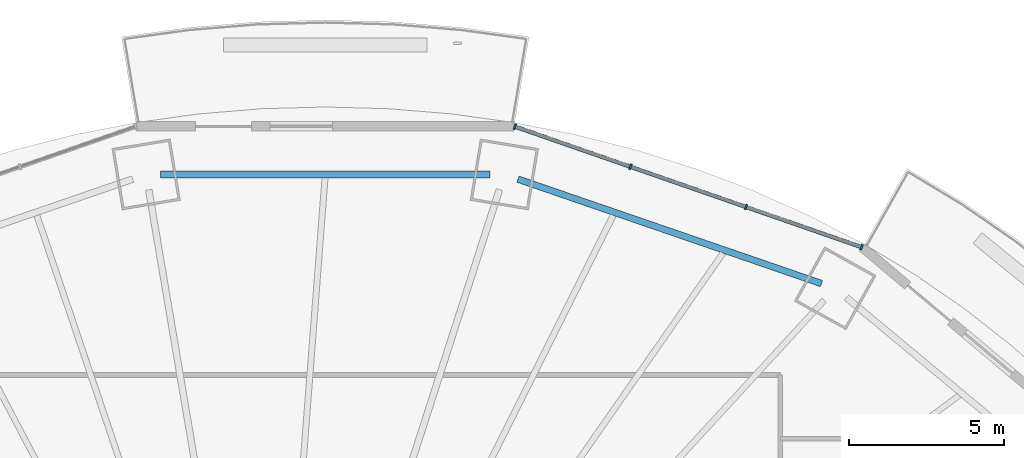
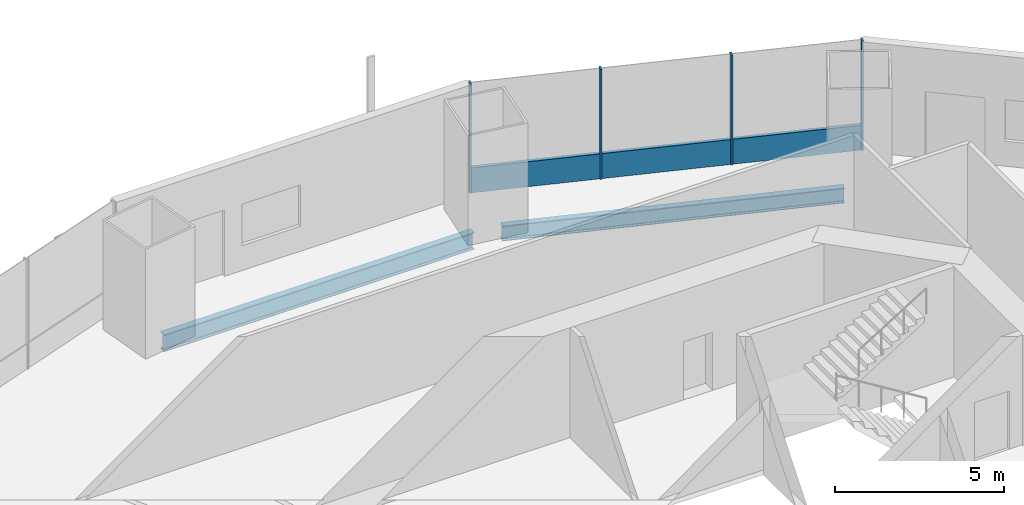
# One storey, part 9 of 20: 5 members, 2 beams, 1 element without a shape of its own.
"""IFC4 building model written with IfcOpenShell, lengths in metres."""

import ifcopenshell
import ifcopenshell.guid

model = None  # the IFC model being written
_history = None  # IfcOwnerHistory: only IFC2X3 demands one
_inside = {}  # id of a spatial element -> (the spatial element, [elements in it])
_under = {}  # id of a project, library or spatial element -> (it, [spatial elements below it])
_declared = {}  # id of a project -> (the project, [libraries it declares])
_typed = {}  # id of a type object -> (the type object, [elements of that type])
_made_of = {}  # id of a material, layer set ... -> (it, [elements and type objects made of it])


def new_model(schema):
    """Start an empty IFC model of exactly this schema.

    Asked for "IFC4X3", IfcOpenShell would pick the latest addendum, in which some entities
    have other attributes; the version numbers below select the first issue.
    IFC2X3 requires an IfcOwnerHistory on every rooted entity: one is made here for all.
    """
    global model, _history
    if schema == "IFC4X3":
        model = ifcopenshell.file(schema_version=(4, 3, 0, 0))
    else:
        model = ifcopenshell.file(schema=schema)
    _inside.clear()
    _under.clear()
    _declared.clear()
    _typed.clear()
    _made_of.clear()
    _history = None
    if model.schema == "IFC2X3":
        org = make("IfcOrganization", Name="unknown")
        user = make(
            "IfcPersonAndOrganization",
            ThePerson=make("IfcPerson", FamilyName="unknown"),
            TheOrganization=org,
        )
        app = make(
            "IfcApplication",
            ApplicationDeveloper=org,
            Version="unknown",
            ApplicationFullName="unknown",
            ApplicationIdentifier="unknown",
        )
        _history = make(
            "IfcOwnerHistory",
            OwningUser=user,
            OwningApplication=app,
            ChangeAction="ADDED",
            CreationDate=0,
        )
    return model


def make(cls, **values):
    """One entity of the class cls with the attributes given. An attribute that is None is left unset."""
    return model.create_entity(
        cls, **{name: value for name, value in values.items() if value is not None}
    )


def rooted(cls, **values):
    """An entity with a GlobalId (a new one), such as an element, a storey or a relation."""
    return make(cls, GlobalId=ifcopenshell.guid.new(), OwnerHistory=_history, **values)


def si_unit(unit_type, name, prefix=None):
    """IfcSIUnit, for example si_unit("LENGTHUNIT", "METRE", prefix="MILLI")."""
    return make("IfcSIUnit", UnitType=unit_type, Prefix=prefix, Name=name)


def assignment(units):
    """IfcUnitAssignment: the units of a project."""
    return None if units is None else make("IfcUnitAssignment", Units=units)


def point(xyz):
    """IfcCartesianPoint."""
    return None if xyz is None else make("IfcCartesianPoint", Coordinates=xyz)


def direction(xyz):
    """IfcDirection."""
    return None if xyz is None else make("IfcDirection", DirectionRatios=xyz)


def frame(location, z_axis=None, x_axis=None):
    """IfcAxis2Placement3D, a coordinate frame: its origin and axes. An axis left out is left unset."""
    return make(
        "IfcAxis2Placement3D",
        Location=point(location),
        Axis=direction(z_axis),
        RefDirection=direction(x_axis),
    )


def frame_2d(location, x_axis=None):
    """IfcAxis2Placement2D, a coordinate frame in the plane: its origin and x axis."""
    return make(
        "IfcAxis2Placement2D", Location=point(location), RefDirection=direction(x_axis)
    )


def origin():
    """The frame at (0, 0, 0) with its axes left unset."""
    return frame((0.0, 0.0, 0.0))


def origin_2d():
    """The frame at (0, 0) in the plane with its x axis left unset."""
    return frame_2d((0.0, 0.0))


def place(relative_to, where):
    """IfcLocalPlacement: puts the frame where relative to a parent placement (None: the world)."""
    return make(
        "IfcLocalPlacement", PlacementRelTo=relative_to, RelativePlacement=where
    )


def context(
    kind, dimensions, precision=None, world=None, true_north=None, identifier=None
):
    """IfcGeometricRepresentationContext, for example the 3D "Model" context."""
    return make(
        "IfcGeometricRepresentationContext",
        ContextIdentifier=identifier,
        ContextType=kind,
        CoordinateSpaceDimension=dimensions,
        Precision=precision,
        WorldCoordinateSystem=world,
        TrueNorth=true_north,
    )


def subcontext(parent, identifier, kind, view, scale=None):
    """IfcGeometricRepresentationSubContext, for example "Body" below "Model"."""
    return make(
        "IfcGeometricRepresentationSubContext",
        ContextIdentifier=identifier,
        ContextType=kind,
        ParentContext=parent,
        TargetScale=scale,
        TargetView=view,
    )


def project(units=None, contexts=None):
    """IfcProject with its units and contexts."""
    return rooted(
        "IfcProject",
        Name="project",
        RepresentationContexts=contexts,
        UnitsInContext=assignment(units),
    )


def spatial(cls, under=None, at=None, **own):
    """A site, building, storey or space (cls), placed at a placement, below another one or the project."""
    s = rooted(cls, ObjectPlacement=at, **own)
    if under is not None:
        _under.setdefault(under.id(), (under, []))[1].append(s)
    return s


def profile(cls, at=None, kind="AREA", **sizes):
    """A parametric profile (cls). Its sizes go by their IFC names, for example OverallWidth=200.0."""
    return make(cls, ProfileType=kind, Position=at, **sizes)


def rectangle(**sizes):
    """IfcRectangleProfileDef."""
    return profile("IfcRectangleProfileDef", **sizes)


def i_section(**sizes):
    """IfcIShapeProfileDef."""
    return profile("IfcIShapeProfileDef", **sizes)


def extrude(swept, where, along, depth):
    """IfcExtrudedAreaSolid: the profile swept, set in the frame where, extruded along a direction by depth."""
    return make(
        "IfcExtrudedAreaSolid",
        SweptArea=swept,
        Position=where,
        ExtrudedDirection=direction(along),
        Depth=depth,
    )


def shape(context_of_items, identifier, shape_type, items):
    """IfcShapeRepresentation: the items that make up one representation, for example the "Body"."""
    return make(
        "IfcShapeRepresentation",
        ContextOfItems=context_of_items,
        RepresentationIdentifier=identifier,
        RepresentationType=shape_type,
        Items=items,
    )


def material(Name=None, Category=None):
    """IfcMaterial."""
    return make("IfcMaterial", Name=Name, Category=Category)


def material_profile(
    of_material, cross_section, Name=None, Category=None, Priority=None
):
    """IfcMaterialProfile: a cross section and its material."""
    return make(
        "IfcMaterialProfile",
        Name=Name,
        Material=of_material,
        Profile=cross_section,
        Priority=Priority,
        Category=Category,
    )


def profile_set(profiles, Name=None, composite=None):
    """IfcMaterialProfileSet."""
    return make(
        "IfcMaterialProfileSet",
        Name=Name,
        MaterialProfiles=profiles,
        CompositeProfile=composite,
    )


def made_of(thing, what):
    """Note that an element or type object is made of a material, layer set ...; save() writes the relation."""
    if what is not None:
        _made_of.setdefault(what.id(), (what, []))[1].append(thing)
    return thing


def type_object(cls, material=None, **own):
    """A type object (cls), such as IfcWallType, which elements share."""
    return made_of(rooted(cls, **own), material)


def element(
    cls,
    number,
    at=None,
    inside=None,
    cuts=None,
    type_object=None,
    material=None,
    context=None,
    identifier="Body",
    shape_type=None,
    held_by="IfcProductDefinitionShape",
    body=None,
    shapes=None,
    **own,
):
    """One element of the class cls, such as IfcWall. Its Tag is "e" and its number.

    at: its placement. inside: the storey or other place that contains it. cuts: it is an
    opening in that element (IfcRelVoidsElement). A single representation is given by context,
    identifier, shape_type and body (its items); several are given by shapes. held_by: the class
    of the entity that holds the representations. save() writes the other relations.
    """
    e = rooted(cls, Tag="e%d" % number, ObjectPlacement=at, **own)
    if body is not None:
        shapes = [shape(context, identifier, shape_type, body)]
    if shapes is not None:
        e.Representation = make(held_by, Representations=shapes)
    if inside is not None:
        _inside.setdefault(inside.id(), (inside, []))[1].append(e)
    if cuts is not None:
        rooted(
            "IfcRelVoidsElement", RelatingBuildingElement=cuts, RelatedOpeningElement=e
        )
    if type_object is not None:
        _typed.setdefault(type_object.id(), (type_object, []))[1].append(e)
    return made_of(e, material)


def aggregate(whole, parts):
    """IfcRelAggregates: a whole, such as a stair, and the parts it consists of."""
    return rooted("IfcRelAggregates", RelatingObject=whole, RelatedObjects=parts)


def save(model, path):
    """Write the relations noted so far, then the file.

    IfcRelAggregates (storeys below a building ...), IfcRelContainedInSpatialStructure (elements
    in a storey), IfcRelDefinesByType, IfcRelAssociatesMaterial and IfcRelDeclares: one each for
    every whole, place, type object, material and project.
    """
    for whole, parts in _under.values():
        aggregate(whole, parts)
    for where, things in _inside.values():
        rooted(
            "IfcRelContainedInSpatialStructure",
            RelatedElements=things,
            RelatingStructure=where,
        )
    for kind, things in _typed.values():
        rooted("IfcRelDefinesByType", RelatedObjects=things, RelatingType=kind)
    for what, things in _made_of.values():
        rooted("IfcRelAssociatesMaterial", RelatedObjects=things, RelatingMaterial=what)
    for by, libraries in _declared.values():
        rooted("IfcRelDeclares", RelatingContext=by, RelatedDefinitions=libraries)
    model.write(path)


model = new_model("IFC4")

# Units and contexts
model_context = context("Model", 3, precision=1e-05, world=origin(), true_north=direction((0.0, 1.0)))
body_context = subcontext(model_context, "Body", "Model", "MODEL_VIEW")
ifc_project = project(units=[si_unit("LENGTHUNIT", "METRE"), si_unit("AREAUNIT", "SQUARE_METRE"), si_unit("VOLUMEUNIT", "CUBIC_METRE"), si_unit("PLANEANGLEUNIT", "RADIAN"), si_unit("MASSUNIT", "GRAM", prefix="KILO")], contexts=[model_context])

# Site, building, storey
site_placement = place(None, origin())
site = spatial("IfcSite", under=ifc_project, at=site_placement, CompositionType="ELEMENT")
building_placement = place(site_placement, origin())
building = spatial("IfcBuilding", under=site, at=building_placement, Name="Marenthal Gate Tower", CompositionType="ELEMENT")
storey_placement = place(building_placement, frame((0.0, 0.0, 219.14990234375)))
storey = spatial("IfcBuildingStorey", under=building, at=storey_placement, Name="L48", CompositionType="ELEMENT", Elevation=219.14990234375)

# Curtain wall, members
ifc_material_1 = material(Name="Aluminium and glass", Category="aluminium")
curtain_wall_type = type_object("IfcCurtainWallType", Name="Curtain wall typical mid", PredefinedType="NOTDEFINED", material=ifc_material_1)
curtain_wall_placement = place(storey_placement, origin())
curtain_wall = element("IfcCurtainWall", 1, at=curtain_wall_placement, inside=storey, type_object=curtain_wall_type, Name="Curtain wall L48 bay 3", PredefinedType="NOTDEFINED")
ifc_material_2 = material(Name="Aluminium", Category="aluminium")
ifc_material_profile_1 = material_profile(ifc_material_2, rectangle(XDim=0.179931640625, YDim=0.06005859375, at=origin_2d()), Name="60x180 aluminium mullion")
ifc_profile_set_1 = profile_set([ifc_material_profile_1], Name="Aluminium")
member_type_1 = type_object("IfcMemberType", Name="Mullion 60x180 typical mid", PredefinedType="MULLION", material=ifc_profile_set_1)
member_1_placement = place(storey_placement, frame((19.066650390625, 21.13623046875, 0.0), z_axis=(0.0, 0.0, 1.0), x_axis=(-0.328400483847, -0.944538576348, 0.0)))
member_1 = element("IfcMember", 2, at=member_1_placement, type_object=member_type_1, Name="Mullion L48 bay 3.1", PredefinedType="MULLION", context=body_context, shape_type="SweptSolid", body=[
    extrude(rectangle(XDim=0.179931640625, YDim=0.06005859375, at=origin_2d()), origin(), (0.0, 0.0, 1.0), 3.97021484375),
])
member_2_placement = place(storey_placement, frame((15.344970703125, 22.43017578125, 0.0), z_axis=(0.0, 0.0, 1.0), x_axis=(-0.328400483847, -0.944538576348, 0.0)))
member_2 = element("IfcMember", 3, at=member_2_placement, type_object=member_type_1, Name="Mullion L48 bay 3.2", PredefinedType="MULLION", context=body_context, shape_type="SweptSolid", body=[
    extrude(rectangle(XDim=0.179931640625, YDim=0.06005859375, at=origin_2d()), origin(), (0.0, 0.0, 1.0), 3.97021484375),
])
member_3_placement = place(storey_placement, frame((11.623291015625, 23.72412109375, 0.0), z_axis=(0.0, 0.0, 1.0), x_axis=(-0.328400483847, -0.944538576348, 0.0)))
member_3 = element("IfcMember", 4, at=member_3_placement, type_object=member_type_1, Name="Mullion L48 bay 3.3", PredefinedType="MULLION", context=body_context, shape_type="SweptSolid", body=[
    extrude(rectangle(XDim=0.179931640625, YDim=0.06005859375, at=origin_2d()), origin(), (0.0, 0.0, 1.0), 3.97021484375),
])
member_4_placement = place(storey_placement, frame((7.901611328125, 25.01806640625, 0.0), z_axis=(0.0, 0.0, 1.0), x_axis=(-0.328400483847, -0.944538576348, 0.0)))
member_4 = element("IfcMember", 5, at=member_4_placement, type_object=member_type_1, Name="Mullion L48 bay 3.4", PredefinedType="MULLION", context=body_context, shape_type="SweptSolid", body=[
    extrude(rectangle(XDim=0.179931640625, YDim=0.06005859375, at=origin_2d()), origin(), (0.0, 0.0, 1.0), 3.97021484375),
])
ifc_material_3 = material(Name="Aluminium", Category="aluminium")
ifc_material_profile_2 = material_profile(ifc_material_3, rectangle(XDim=0.1201171875, YDim=0.89990234375, at=origin_2d()), Name="120x900 aluminium transom")
ifc_profile_set_2 = profile_set([ifc_material_profile_2], Name="Aluminium")
member_type_2 = type_object("IfcMemberType", Name="Transom 120x900 typical mid", PredefinedType="USERDEFINED", material=ifc_profile_set_2)
member_5_placement = place(storey_placement, frame((19.038330078125, 21.14599609375, 0.4501953125), z_axis=(-0.944535997597, 0.328407900703, 0.0), x_axis=(-0.328407900703, -0.944535997597, 0.0)))
member_5 = element("IfcMember", 6, at=member_5_placement, type_object=member_type_2, Name="Transom L48 bay 3", ObjectType="TRANSOM", PredefinedType="USERDEFINED", context=body_context, shape_type="SweptSolid", body=[
    extrude(rectangle(XDim=0.1201171875, YDim=0.89990234375, at=origin_2d()), origin(), (0.0, 0.0, 1.0), 11.7607421875),
])
aggregate(curtain_wall, [member_1, member_2, member_3, member_4, member_5])

# Beams
ifc_material_4 = material(Name="Steel S355", Category="steel")
ifc_material_profile_3 = material_profile(ifc_material_4, i_section(OverallWidth=0.2119140625, OverallDepth=0.5439453125, WebThickness=0.01318359375, FlangeThickness=0.021240234375, FilletRadius=0.0126953125, at=origin_2d()), Name="W530X123")
ifc_profile_set_3 = profile_set([ifc_material_profile_3], Name="Steel S355")
beam_type_1 = type_object("IfcBeamType", Name="W530X123 beam", PredefinedType="BEAM", material=ifc_profile_set_3)
beam_1_placement = place(storey_placement, frame((17.777587890625, 19.9638671875, -0.451904296875), z_axis=(-0.945580359537, 0.325388665534, 0.0), x_axis=(-0.325388665534, -0.945580359537, 0.0)))
element("IfcBeam", 7, at=beam_1_placement, inside=storey, type_object=beam_type_1, Name="BM-L48-43", PredefinedType="BEAM", context=body_context, shape_type="SweptSolid", body=[
    extrude(i_section(OverallWidth=0.2119140625, OverallDepth=0.5439453125, WebThickness=0.01318359375, FlangeThickness=0.021240234375, FilletRadius=0.0126953125, at=origin_2d()), origin(), (0.0, 0.0, 1.0), 10.3369140625),
])
ifc_material_5 = material(Name="Steel S355", Category="steel")
ifc_material_profile_4 = material_profile(ifc_material_5, i_section(OverallWidth=0.22900390625, OverallDepth=0.612060546875, WebThickness=0.011962890625, FlangeThickness=0.01953125, FilletRadius=0.0126953125, at=origin_2d()), Name="W610X125")
ifc_profile_set_4 = profile_set([ifc_material_profile_4], Name="Steel S355")
beam_type_2 = type_object("IfcBeamType", Name="W610X125 beam", PredefinedType="BEAM", material=ifc_profile_set_4)
beam_2_placement = place(storey_placement, frame((7.10205078125, 23.478271484375, -0.48583984375), z_axis=(-1.0, 0.0, 0.0), x_axis=(0.0, -1.0, 0.0)))
element("IfcBeam", 8, at=beam_2_placement, inside=storey, type_object=beam_type_2, Name="BM-L48-44", PredefinedType="BEAM", context=body_context, shape_type="SweptSolid", body=[
    extrude(i_section(OverallWidth=0.22900390625, OverallDepth=0.612060546875, WebThickness=0.011962890625, FlangeThickness=0.01953125, FilletRadius=0.0126953125, at=origin_2d()), origin(), (0.0, 0.0, 1.0), 10.60400390625),
])

save(model, "model.ifc")
